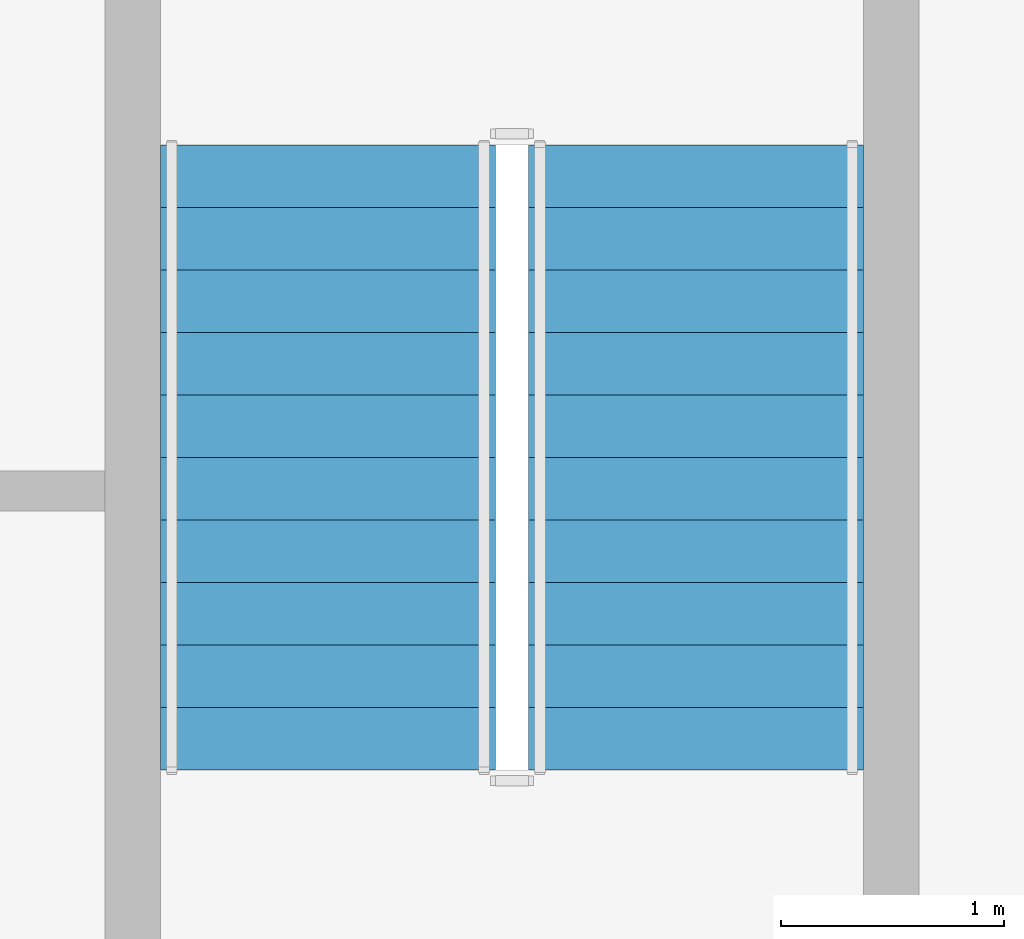
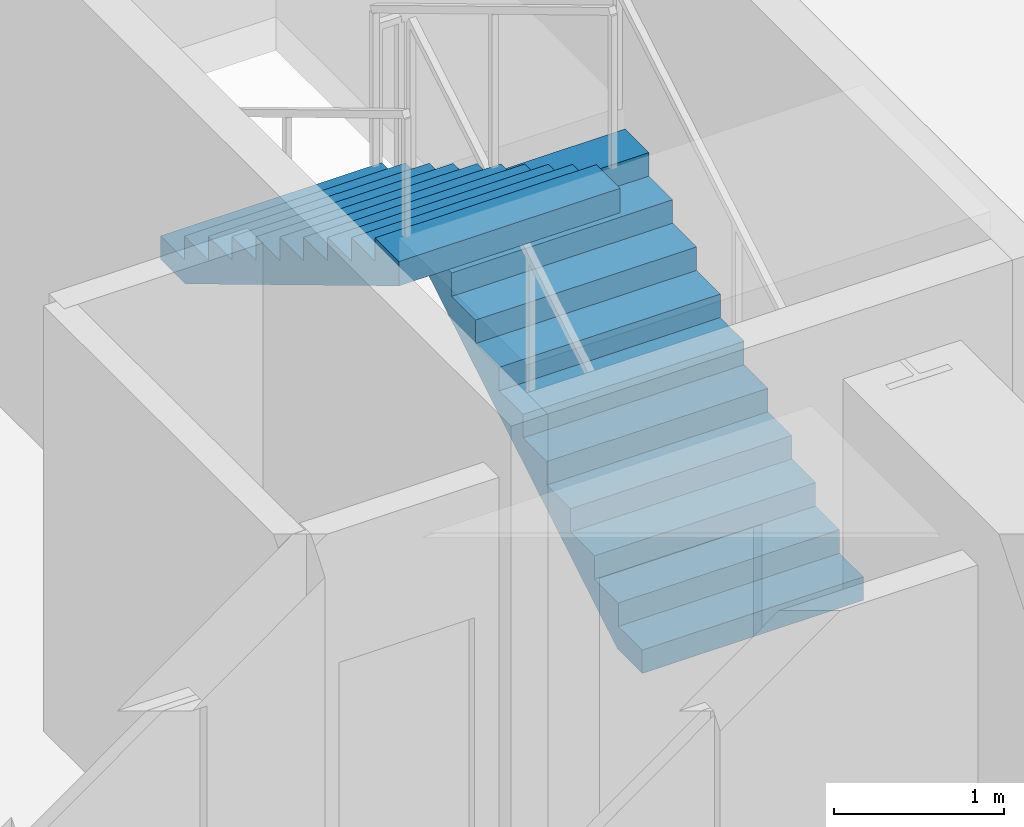
# One storey, part 9 of 14: 2 stair flights, 1 element without a shape of its own.
"""IFC4 building model written with IfcOpenShell, lengths in metres."""

from ifc_helpers import new_model, si_unit, direction, frame, origin, place, context, subcontext, project, spatial, polyline, outline, extrude, source, transform, mapped, material, type_object, element, aggregate, save


model = new_model("IFC4")

# Units and contexts
model_context = context("Model", 3, precision=1e-05, world=origin(), true_north=direction((0.0, 1.0)))
body_context = subcontext(model_context, "Body", "Model", "MODEL_VIEW")
ifc_project = project(units=[si_unit("LENGTHUNIT", "METRE"), si_unit("AREAUNIT", "SQUARE_METRE"), si_unit("VOLUMEUNIT", "CUBIC_METRE"), si_unit("PLANEANGLEUNIT", "RADIAN"), si_unit("MASSUNIT", "GRAM", prefix="KILO")], contexts=[model_context])

# Site, building, storey
site_placement = place(None, origin())
site = spatial("IfcSite", under=ifc_project, at=site_placement, CompositionType="ELEMENT")
building_placement = place(site_placement, origin())
building = spatial("IfcBuilding", under=site, at=building_placement, Name="Vardaveli Station Tower", CompositionType="ELEMENT")
storey_placement = place(building_placement, frame((0.0, 0.0, 163.10009765625)))
storey = spatial("IfcBuildingStorey", under=building, at=storey_placement, Name="L42", CompositionType="ELEMENT", Elevation=163.10009765625)

# Stair, stair flights
ifc_material = material(Name="Concrete C40/50", Category="concrete")
stair_type = type_object("IfcStairType", Name="STR-CORE-1500", PredefinedType="HALF_TURN_STAIR", material=ifc_material)
stair_placement = place(storey_placement, origin())
stair = element("IfcStair", 1, at=stair_placement, inside=storey, type_object=stair_type, Name="L42 ST-3", PredefinedType="HALF_TURN_STAIR")
stair_flight_type = type_object("IfcStairFlightType", Name="SFL-CORE-1500", PredefinedType="STRAIGHT", material=ifc_material)
shared_shape = source(origin(), body_context, "Body", "SweptSolid", [
    extrude(outline(polyline([(0.0, 0.0), (0.0, 0.168212890625), (0.280029296875, 0.168212890625), (0.280029296875, 0.33642578125), (0.56005859375, 0.33642578125), (0.56005859375, 0.504638671875), (0.840087890625, 0.504638671875), (0.840087890625, 0.672607421875), (1.1201171875, 0.672607421875), (1.1201171875, 0.8408203125), (1.39990234375, 0.8408203125), (1.39990234375, 1.009033203125), (1.679931640625, 1.009033203125), (1.679931640625, 1.17724609375), (1.9599609375, 1.17724609375), (1.9599609375, 1.345458984375), (2.239990234375, 1.345458984375), (2.239990234375, 1.513671875), (2.52001953125, 1.513671875), (2.52001953125, 1.681884765625), (2.800048828125, 1.681884765625), (2.800048828125, 1.85009765625), (2.800048828125, 1.5068359375), (0.291015625, 0.0), (0.0, 0.0)])), frame((0.0, 0.75, 0.0), z_axis=(0.0, -1.0, 0.0), x_axis=(1.0, 0.0, 0.0)), (0.0, 0.0, 1.0), 1.5),
])
stair_flight_1_placement = place(storey_placement, frame((46.5, 32.39990234375, 0.0), z_axis=(0.0, 0.0, 1.0), x_axis=(0.0, 1.0, 0.0)))
stair_flight_1 = element("IfcStairFlight", 2, at=stair_flight_1_placement, type_object=stair_flight_type, Name="ST-3 flight 1", NumberOfRisers=11, NumberOfTreads=10, PredefinedType="STRAIGHT", RiserHeight=0.168181818, TreadLength=0.28, context=body_context, shape_type="MappedRepresentation", body=[
    mapped(shared_shape, transform((0.0, 0.0, 0.0), scale=1.0)),
])
stair_flight_2_placement = place(storey_placement, frame((44.85009765625, 35.199951171875, 1.849853515625), z_axis=(0.0, 0.0, 1.0), x_axis=(0.0, -1.0, 0.0)))
stair_flight_2 = element("IfcStairFlight", 3, at=stair_flight_2_placement, type_object=stair_flight_type, Name="ST-3 flight 2", NumberOfRisers=11, NumberOfTreads=10, PredefinedType="STRAIGHT", RiserHeight=0.168181818, TreadLength=0.28, context=body_context, shape_type="MappedRepresentation", body=[
    mapped(shared_shape, transform((0.0, 0.0, 0.0), scale=1.0)),
])
aggregate(stair, [stair_flight_1, stair_flight_2])

save(model, "model.ifc")
